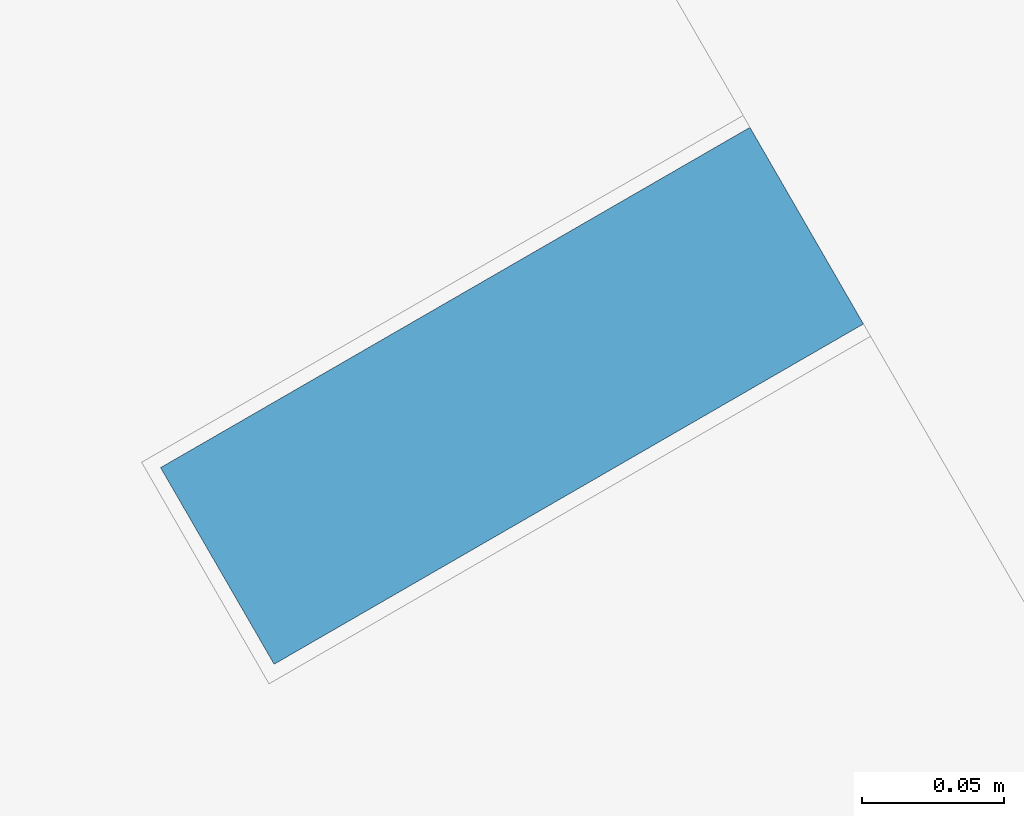
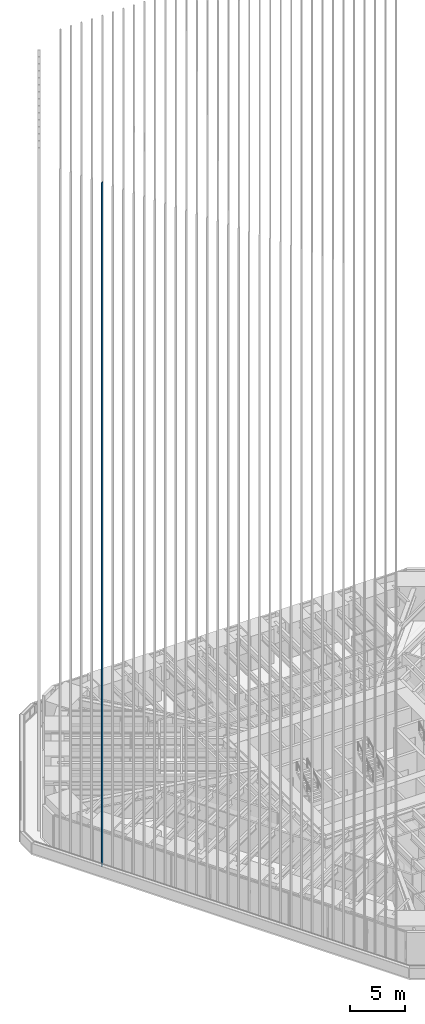
# One storey, part 56 of 238: 1 member, 1 element without a shape of its own.
"""IFC4 building model written with IfcOpenShell, lengths in metres."""

import ifcopenshell
import ifcopenshell.guid

model = None  # the IFC model being written
_history = None  # IfcOwnerHistory: only IFC2X3 demands one
_inside = {}  # id of a spatial element -> (the spatial element, [elements in it])
_under = {}  # id of a project, library or spatial element -> (it, [spatial elements below it])
_declared = {}  # id of a project -> (the project, [libraries it declares])
_typed = {}  # id of a type object -> (the type object, [elements of that type])
_made_of = {}  # id of a material, layer set ... -> (it, [elements and type objects made of it])


def new_model(schema):
    """Start an empty IFC model of exactly this schema.

    Asked for "IFC4X3", IfcOpenShell would pick the latest addendum, in which some entities
    have other attributes; the version numbers below select the first issue.
    IFC2X3 requires an IfcOwnerHistory on every rooted entity: one is made here for all.
    """
    global model, _history
    if schema == "IFC4X3":
        model = ifcopenshell.file(schema_version=(4, 3, 0, 0))
    else:
        model = ifcopenshell.file(schema=schema)
    _inside.clear()
    _under.clear()
    _declared.clear()
    _typed.clear()
    _made_of.clear()
    _history = None
    if model.schema == "IFC2X3":
        org = make("IfcOrganization", Name="unknown")
        user = make(
            "IfcPersonAndOrganization",
            ThePerson=make("IfcPerson", FamilyName="unknown"),
            TheOrganization=org,
        )
        app = make(
            "IfcApplication",
            ApplicationDeveloper=org,
            Version="unknown",
            ApplicationFullName="unknown",
            ApplicationIdentifier="unknown",
        )
        _history = make(
            "IfcOwnerHistory",
            OwningUser=user,
            OwningApplication=app,
            ChangeAction="ADDED",
            CreationDate=0,
        )
    return model


def make(cls, **values):
    """One entity of the class cls with the attributes given. An attribute that is None is left unset."""
    return model.create_entity(
        cls, **{name: value for name, value in values.items() if value is not None}
    )


def rooted(cls, **values):
    """An entity with a GlobalId (a new one), such as an element, a storey or a relation."""
    return make(cls, GlobalId=ifcopenshell.guid.new(), OwnerHistory=_history, **values)


def si_unit(unit_type, name, prefix=None):
    """IfcSIUnit, for example si_unit("LENGTHUNIT", "METRE", prefix="MILLI")."""
    return make("IfcSIUnit", UnitType=unit_type, Prefix=prefix, Name=name)


def assignment(units):
    """IfcUnitAssignment: the units of a project."""
    return None if units is None else make("IfcUnitAssignment", Units=units)


def point(xyz):
    """IfcCartesianPoint."""
    return None if xyz is None else make("IfcCartesianPoint", Coordinates=xyz)


def direction(xyz):
    """IfcDirection."""
    return None if xyz is None else make("IfcDirection", DirectionRatios=xyz)


def frame(location, z_axis=None, x_axis=None):
    """IfcAxis2Placement3D, a coordinate frame: its origin and axes. An axis left out is left unset."""
    return make(
        "IfcAxis2Placement3D",
        Location=point(location),
        Axis=direction(z_axis),
        RefDirection=direction(x_axis),
    )


def frame_2d(location, x_axis=None):
    """IfcAxis2Placement2D, a coordinate frame in the plane: its origin and x axis."""
    return make(
        "IfcAxis2Placement2D", Location=point(location), RefDirection=direction(x_axis)
    )


def origin():
    """The frame at (0, 0, 0) with its axes left unset."""
    return frame((0.0, 0.0, 0.0))


def origin_2d():
    """The frame at (0, 0) in the plane with its x axis left unset."""
    return frame_2d((0.0, 0.0))


def place(relative_to, where):
    """IfcLocalPlacement: puts the frame where relative to a parent placement (None: the world)."""
    return make(
        "IfcLocalPlacement", PlacementRelTo=relative_to, RelativePlacement=where
    )


def context(
    kind, dimensions, precision=None, world=None, true_north=None, identifier=None
):
    """IfcGeometricRepresentationContext, for example the 3D "Model" context."""
    return make(
        "IfcGeometricRepresentationContext",
        ContextIdentifier=identifier,
        ContextType=kind,
        CoordinateSpaceDimension=dimensions,
        Precision=precision,
        WorldCoordinateSystem=world,
        TrueNorth=true_north,
    )


def subcontext(parent, identifier, kind, view, scale=None):
    """IfcGeometricRepresentationSubContext, for example "Body" below "Model"."""
    return make(
        "IfcGeometricRepresentationSubContext",
        ContextIdentifier=identifier,
        ContextType=kind,
        ParentContext=parent,
        TargetScale=scale,
        TargetView=view,
    )


def project(units=None, contexts=None):
    """IfcProject with its units and contexts."""
    return rooted(
        "IfcProject",
        Name="project",
        RepresentationContexts=contexts,
        UnitsInContext=assignment(units),
    )


def spatial(cls, under=None, at=None, **own):
    """A site, building, storey or space (cls), placed at a placement, below another one or the project."""
    s = rooted(cls, ObjectPlacement=at, **own)
    if under is not None:
        _under.setdefault(under.id(), (under, []))[1].append(s)
    return s


def profile(cls, at=None, kind="AREA", **sizes):
    """A parametric profile (cls). Its sizes go by their IFC names, for example OverallWidth=200.0."""
    return make(cls, ProfileType=kind, Position=at, **sizes)


def rectangle(**sizes):
    """IfcRectangleProfileDef."""
    return profile("IfcRectangleProfileDef", **sizes)


def extrude(swept, where, along, depth):
    """IfcExtrudedAreaSolid: the profile swept, set in the frame where, extruded along a direction by depth."""
    return make(
        "IfcExtrudedAreaSolid",
        SweptArea=swept,
        Position=where,
        ExtrudedDirection=direction(along),
        Depth=depth,
    )


def shape(context_of_items, identifier, shape_type, items):
    """IfcShapeRepresentation: the items that make up one representation, for example the "Body"."""
    return make(
        "IfcShapeRepresentation",
        ContextOfItems=context_of_items,
        RepresentationIdentifier=identifier,
        RepresentationType=shape_type,
        Items=items,
    )


def material(Name=None, Category=None):
    """IfcMaterial."""
    return make("IfcMaterial", Name=Name, Category=Category)


def material_profile(
    of_material, cross_section, Name=None, Category=None, Priority=None
):
    """IfcMaterialProfile: a cross section and its material."""
    return make(
        "IfcMaterialProfile",
        Name=Name,
        Material=of_material,
        Profile=cross_section,
        Priority=Priority,
        Category=Category,
    )


def profile_set(profiles, Name=None, composite=None):
    """IfcMaterialProfileSet."""
    return make(
        "IfcMaterialProfileSet",
        Name=Name,
        MaterialProfiles=profiles,
        CompositeProfile=composite,
    )


def made_of(thing, what):
    """Note that an element or type object is made of a material, layer set ...; save() writes the relation."""
    if what is not None:
        _made_of.setdefault(what.id(), (what, []))[1].append(thing)
    return thing


def type_object(cls, material=None, **own):
    """A type object (cls), such as IfcWallType, which elements share."""
    return made_of(rooted(cls, **own), material)


def element(
    cls,
    number,
    at=None,
    inside=None,
    cuts=None,
    type_object=None,
    material=None,
    context=None,
    identifier="Body",
    shape_type=None,
    held_by="IfcProductDefinitionShape",
    body=None,
    shapes=None,
    **own,
):
    """One element of the class cls, such as IfcWall. Its Tag is "e" and its number.

    at: its placement. inside: the storey or other place that contains it. cuts: it is an
    opening in that element (IfcRelVoidsElement). A single representation is given by context,
    identifier, shape_type and body (its items); several are given by shapes. held_by: the class
    of the entity that holds the representations. save() writes the other relations.
    """
    e = rooted(cls, Tag="e%d" % number, ObjectPlacement=at, **own)
    if body is not None:
        shapes = [shape(context, identifier, shape_type, body)]
    if shapes is not None:
        e.Representation = make(held_by, Representations=shapes)
    if inside is not None:
        _inside.setdefault(inside.id(), (inside, []))[1].append(e)
    if cuts is not None:
        rooted(
            "IfcRelVoidsElement", RelatingBuildingElement=cuts, RelatedOpeningElement=e
        )
    if type_object is not None:
        _typed.setdefault(type_object.id(), (type_object, []))[1].append(e)
    return made_of(e, material)


def aggregate(whole, parts):
    """IfcRelAggregates: a whole, such as a stair, and the parts it consists of."""
    return rooted("IfcRelAggregates", RelatingObject=whole, RelatedObjects=parts)


def save(model, path):
    """Write the relations noted so far, then the file.

    IfcRelAggregates (storeys below a building ...), IfcRelContainedInSpatialStructure (elements
    in a storey), IfcRelDefinesByType, IfcRelAssociatesMaterial and IfcRelDeclares: one each for
    every whole, place, type object, material and project.
    """
    for whole, parts in _under.values():
        aggregate(whole, parts)
    for where, things in _inside.values():
        rooted(
            "IfcRelContainedInSpatialStructure",
            RelatedElements=things,
            RelatingStructure=where,
        )
    for kind, things in _typed.values():
        rooted("IfcRelDefinesByType", RelatedObjects=things, RelatingType=kind)
    for what, things in _made_of.values():
        rooted("IfcRelAssociatesMaterial", RelatedObjects=things, RelatingMaterial=what)
    for by, libraries in _declared.values():
        rooted("IfcRelDeclares", RelatingContext=by, RelatedDefinitions=libraries)
    model.write(path)


model = new_model("IFC4")

# Units and contexts
model_context = context("Model", 3, precision=1e-05, world=origin(), true_north=direction((0.0, 1.0)))
body_context = subcontext(model_context, "Body", "Model", "MODEL_VIEW")
ifc_project = project(units=[si_unit("LENGTHUNIT", "METRE"), si_unit("AREAUNIT", "SQUARE_METRE"), si_unit("VOLUMEUNIT", "CUBIC_METRE"), si_unit("PLANEANGLEUNIT", "RADIAN"), si_unit("MASSUNIT", "GRAM", prefix="KILO")], contexts=[model_context])

# Site, building, storey
site_placement = place(None, origin())
site = spatial("IfcSite", under=ifc_project, at=site_placement, CompositionType="ELEMENT")
building_placement = place(site_placement, origin())
building = spatial("IfcBuilding", under=site, at=building_placement, Name="Sandreach Pilgrim Tower", CompositionType="ELEMENT")
storey_placement = place(building_placement, frame((0.0, 0.0, 96.800048828125)))
storey = spatial("IfcBuildingStorey", under=building, at=storey_placement, Name="L23", CompositionType="ELEMENT", Elevation=96.800048828125)

# Curtain wall, member
ifc_material_1 = material(Name="Aluminium framed curtain wall", Category="aluminium")
curtain_wall_type = type_object("IfcCurtainWallType", Name="Hotel tower curtain wall", PredefinedType="NOTDEFINED", material=ifc_material_1)
curtain_wall_placement = place(storey_placement, origin())
curtain_wall = element("IfcCurtainWall", 1, at=curtain_wall_placement, inside=storey, type_object=curtain_wall_type, Name="CW-2 L23 SW", PredefinedType="NOTDEFINED")
ifc_material_2 = material(Name="Extruded terracotta on aluminium core", Category="masonry")
ifc_material_profile = material_profile(ifc_material_2, rectangle(XDim=0.080078125, YDim=0.239990234375, at=origin_2d()), Name="TBW 80X240")
ifc_profile_set = profile_set([ifc_material_profile], Name="Extruded terracotta on aluminium core")
member_type = type_object("IfcMemberType", Name="Terracotta baguette west", PredefinedType="USERDEFINED", material=ifc_profile_set)
member_placement = place(storey_placement, frame((-26.452392578125, -0.0107421875, 0.0), z_axis=(0.0, 0.0, 1.0), x_axis=(-0.5, 0.866025403784, 0.0)))
member = element("IfcMember", 2, at=member_placement, type_object=member_type, Name="Baguette Z2 SW29", ObjectType="BAGUETTE", PredefinedType="USERDEFINED", context=body_context, shape_type="SweptSolid", body=[
    extrude(rectangle(XDim=0.080078125, YDim=0.239990234375, at=origin_2d()), origin(), (0.0, 0.0, 1.0), 75.83984375),
])
aggregate(curtain_wall, [member])

save(model, "model.ifc")
